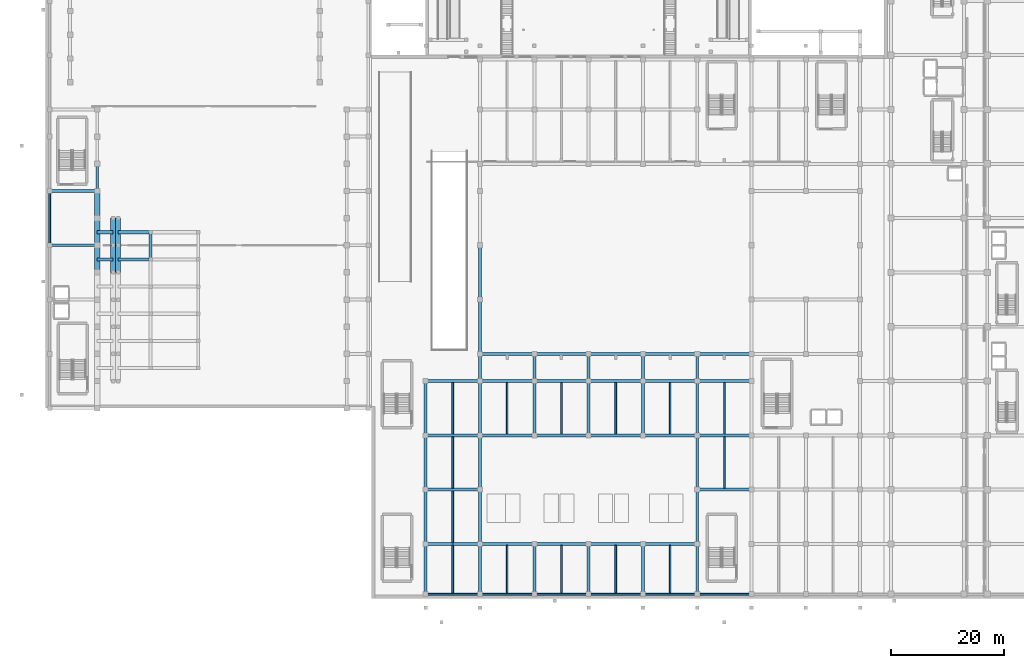
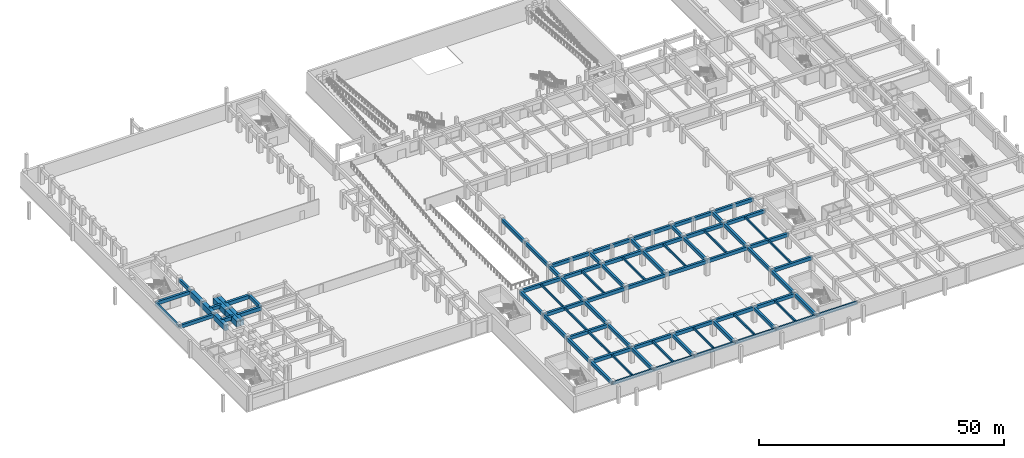
# One storey, part 5 of 39: 85 beams.
"""IFC4 building model written with IfcOpenShell, lengths in metres."""

import ifcopenshell
import ifcopenshell.guid

model = None  # the IFC model being written
_history = None  # IfcOwnerHistory: only IFC2X3 demands one
_inside = {}  # id of a spatial element -> (the spatial element, [elements in it])
_under = {}  # id of a project, library or spatial element -> (it, [spatial elements below it])
_declared = {}  # id of a project -> (the project, [libraries it declares])
_typed = {}  # id of a type object -> (the type object, [elements of that type])
_made_of = {}  # id of a material, layer set ... -> (it, [elements and type objects made of it])


def new_model(schema):
    """Start an empty IFC model of exactly this schema.

    Asked for "IFC4X3", IfcOpenShell would pick the latest addendum, in which some entities
    have other attributes; the version numbers below select the first issue.
    IFC2X3 requires an IfcOwnerHistory on every rooted entity: one is made here for all.
    """
    global model, _history
    if schema == "IFC4X3":
        model = ifcopenshell.file(schema_version=(4, 3, 0, 0))
    else:
        model = ifcopenshell.file(schema=schema)
    _inside.clear()
    _under.clear()
    _declared.clear()
    _typed.clear()
    _made_of.clear()
    _history = None
    if model.schema == "IFC2X3":
        org = make("IfcOrganization", Name="unknown")
        user = make(
            "IfcPersonAndOrganization",
            ThePerson=make("IfcPerson", FamilyName="unknown"),
            TheOrganization=org,
        )
        app = make(
            "IfcApplication",
            ApplicationDeveloper=org,
            Version="unknown",
            ApplicationFullName="unknown",
            ApplicationIdentifier="unknown",
        )
        _history = make(
            "IfcOwnerHistory",
            OwningUser=user,
            OwningApplication=app,
            ChangeAction="ADDED",
            CreationDate=0,
        )
    return model


def make(cls, **values):
    """One entity of the class cls with the attributes given. An attribute that is None is left unset."""
    return model.create_entity(
        cls, **{name: value for name, value in values.items() if value is not None}
    )


def rooted(cls, **values):
    """An entity with a GlobalId (a new one), such as an element, a storey or a relation."""
    return make(cls, GlobalId=ifcopenshell.guid.new(), OwnerHistory=_history, **values)


def si_unit(unit_type, name, prefix=None):
    """IfcSIUnit, for example si_unit("LENGTHUNIT", "METRE", prefix="MILLI")."""
    return make("IfcSIUnit", UnitType=unit_type, Prefix=prefix, Name=name)


def assignment(units):
    """IfcUnitAssignment: the units of a project."""
    return None if units is None else make("IfcUnitAssignment", Units=units)


def point(xyz):
    """IfcCartesianPoint."""
    return None if xyz is None else make("IfcCartesianPoint", Coordinates=xyz)


def direction(xyz):
    """IfcDirection."""
    return None if xyz is None else make("IfcDirection", DirectionRatios=xyz)


def frame(location, z_axis=None, x_axis=None):
    """IfcAxis2Placement3D, a coordinate frame: its origin and axes. An axis left out is left unset."""
    return make(
        "IfcAxis2Placement3D",
        Location=point(location),
        Axis=direction(z_axis),
        RefDirection=direction(x_axis),
    )


def frame_2d(location, x_axis=None):
    """IfcAxis2Placement2D, a coordinate frame in the plane: its origin and x axis."""
    return make(
        "IfcAxis2Placement2D", Location=point(location), RefDirection=direction(x_axis)
    )


def origin():
    """The frame at (0, 0, 0) with its axes left unset."""
    return frame((0.0, 0.0, 0.0))


def origin_2d():
    """The frame at (0, 0) in the plane with its x axis left unset."""
    return frame_2d((0.0, 0.0))


def place(relative_to, where):
    """IfcLocalPlacement: puts the frame where relative to a parent placement (None: the world)."""
    return make(
        "IfcLocalPlacement", PlacementRelTo=relative_to, RelativePlacement=where
    )


def context(
    kind, dimensions, precision=None, world=None, true_north=None, identifier=None
):
    """IfcGeometricRepresentationContext, for example the 3D "Model" context."""
    return make(
        "IfcGeometricRepresentationContext",
        ContextIdentifier=identifier,
        ContextType=kind,
        CoordinateSpaceDimension=dimensions,
        Precision=precision,
        WorldCoordinateSystem=world,
        TrueNorth=true_north,
    )


def subcontext(parent, identifier, kind, view, scale=None):
    """IfcGeometricRepresentationSubContext, for example "Body" below "Model"."""
    return make(
        "IfcGeometricRepresentationSubContext",
        ContextIdentifier=identifier,
        ContextType=kind,
        ParentContext=parent,
        TargetScale=scale,
        TargetView=view,
    )


def project(units=None, contexts=None):
    """IfcProject with its units and contexts."""
    return rooted(
        "IfcProject",
        Name="project",
        RepresentationContexts=contexts,
        UnitsInContext=assignment(units),
    )


def spatial(cls, under=None, at=None, **own):
    """A site, building, storey or space (cls), placed at a placement, below another one or the project."""
    s = rooted(cls, ObjectPlacement=at, **own)
    if under is not None:
        _under.setdefault(under.id(), (under, []))[1].append(s)
    return s


def profile(cls, at=None, kind="AREA", **sizes):
    """A parametric profile (cls). Its sizes go by their IFC names, for example OverallWidth=200.0."""
    return make(cls, ProfileType=kind, Position=at, **sizes)


def rectangle(**sizes):
    """IfcRectangleProfileDef."""
    return profile("IfcRectangleProfileDef", **sizes)


def extrude(swept, where, along, depth):
    """IfcExtrudedAreaSolid: the profile swept, set in the frame where, extruded along a direction by depth."""
    return make(
        "IfcExtrudedAreaSolid",
        SweptArea=swept,
        Position=where,
        ExtrudedDirection=direction(along),
        Depth=depth,
    )


def shape(context_of_items, identifier, shape_type, items):
    """IfcShapeRepresentation: the items that make up one representation, for example the "Body"."""
    return make(
        "IfcShapeRepresentation",
        ContextOfItems=context_of_items,
        RepresentationIdentifier=identifier,
        RepresentationType=shape_type,
        Items=items,
    )


def material(Name=None, Category=None):
    """IfcMaterial."""
    return make("IfcMaterial", Name=Name, Category=Category)


def material_profile(
    of_material, cross_section, Name=None, Category=None, Priority=None
):
    """IfcMaterialProfile: a cross section and its material."""
    return make(
        "IfcMaterialProfile",
        Name=Name,
        Material=of_material,
        Profile=cross_section,
        Priority=Priority,
        Category=Category,
    )


def profile_set(profiles, Name=None, composite=None):
    """IfcMaterialProfileSet."""
    return make(
        "IfcMaterialProfileSet",
        Name=Name,
        MaterialProfiles=profiles,
        CompositeProfile=composite,
    )


def made_of(thing, what):
    """Note that an element or type object is made of a material, layer set ...; save() writes the relation."""
    if what is not None:
        _made_of.setdefault(what.id(), (what, []))[1].append(thing)
    return thing


def type_object(cls, material=None, **own):
    """A type object (cls), such as IfcWallType, which elements share."""
    return made_of(rooted(cls, **own), material)


def element(
    cls,
    number,
    at=None,
    inside=None,
    cuts=None,
    type_object=None,
    material=None,
    context=None,
    identifier="Body",
    shape_type=None,
    held_by="IfcProductDefinitionShape",
    body=None,
    shapes=None,
    **own,
):
    """One element of the class cls, such as IfcWall. Its Tag is "e" and its number.

    at: its placement. inside: the storey or other place that contains it. cuts: it is an
    opening in that element (IfcRelVoidsElement). A single representation is given by context,
    identifier, shape_type and body (its items); several are given by shapes. held_by: the class
    of the entity that holds the representations. save() writes the other relations.
    """
    e = rooted(cls, Tag="e%d" % number, ObjectPlacement=at, **own)
    if body is not None:
        shapes = [shape(context, identifier, shape_type, body)]
    if shapes is not None:
        e.Representation = make(held_by, Representations=shapes)
    if inside is not None:
        _inside.setdefault(inside.id(), (inside, []))[1].append(e)
    if cuts is not None:
        rooted(
            "IfcRelVoidsElement", RelatingBuildingElement=cuts, RelatedOpeningElement=e
        )
    if type_object is not None:
        _typed.setdefault(type_object.id(), (type_object, []))[1].append(e)
    return made_of(e, material)


def aggregate(whole, parts):
    """IfcRelAggregates: a whole, such as a stair, and the parts it consists of."""
    return rooted("IfcRelAggregates", RelatingObject=whole, RelatedObjects=parts)


def save(model, path):
    """Write the relations noted so far, then the file.

    IfcRelAggregates (storeys below a building ...), IfcRelContainedInSpatialStructure (elements
    in a storey), IfcRelDefinesByType, IfcRelAssociatesMaterial and IfcRelDeclares: one each for
    every whole, place, type object, material and project.
    """
    for whole, parts in _under.values():
        aggregate(whole, parts)
    for where, things in _inside.values():
        rooted(
            "IfcRelContainedInSpatialStructure",
            RelatedElements=things,
            RelatingStructure=where,
        )
    for kind, things in _typed.values():
        rooted("IfcRelDefinesByType", RelatedObjects=things, RelatingType=kind)
    for what, things in _made_of.values():
        rooted("IfcRelAssociatesMaterial", RelatedObjects=things, RelatingMaterial=what)
    for by, libraries in _declared.values():
        rooted("IfcRelDeclares", RelatingContext=by, RelatedDefinitions=libraries)
    model.write(path)


model = new_model("IFC4")

# Units and contexts
model_context = context("Model", 3, precision=1e-05, world=origin(), true_north=direction((0.0, 1.0)))
body_context = subcontext(model_context, "Body", "Model", "MODEL_VIEW")
ifc_project = project(units=[si_unit("LENGTHUNIT", "METRE"), si_unit("AREAUNIT", "SQUARE_METRE"), si_unit("VOLUMEUNIT", "CUBIC_METRE"), si_unit("PLANEANGLEUNIT", "RADIAN"), si_unit("MASSUNIT", "GRAM", prefix="KILO")], contexts=[model_context])

# Site, building, storey
site_placement = place(None, origin())
site = spatial("IfcSite", under=ifc_project, at=site_placement, CompositionType="ELEMENT")
building_placement = place(site_placement, origin())
building = spatial("IfcBuilding", under=site, at=building_placement, Name="Nakhvara Creek Congress Hotel", CompositionType="ELEMENT")
storey_placement = place(building_placement, frame((0.0, 0.0, -4.199951171875)))
storey = spatial("IfcBuildingStorey", under=building, at=storey_placement, Name="B1", CompositionType="ELEMENT", Elevation=-4.199951171875)

# Beams
ifc_material_1 = material(Name="Concrete C40/50", Category="concrete")
ifc_material_profile_1 = material_profile(ifc_material_1, rectangle(XDim=0.300048828125, YDim=0.5, at=origin_2d()), Name="RC-BM 300x500", Category="LoadBearing")
ifc_profile_set_1 = profile_set([ifc_material_profile_1], Name="Concrete C40/50")
beam_type_1 = type_object("IfcBeamType", Name="BM-JST-300X500", PredefinedType="JOIST", material=ifc_profile_set_1)
beam_1_placement = place(storey_placement, frame((72.0, 0.925048828125, 3.530029296875), z_axis=(0.0, 1.0, 0.0), x_axis=(-1.0, 0.0, 0.0)))
element("IfcBeam", 1, at=beam_1_placement, inside=storey, type_object=beam_type_1, Name="Secondary Joist BJ1-B1-0691", PredefinedType="JOIST", context=body_context, shape_type="SweptSolid", body=[
    extrude(rectangle(XDim=0.300048828125, YDim=0.5, at=origin_2d()), origin(), (0.0, 0.0, 1.0), 8.4150390625),
])
beam_2_placement = place(storey_placement, frame((72.0, 9.860107421875, 3.530029296875), z_axis=(0.0, 1.0, 0.0), x_axis=(-1.0, 0.0, 0.0)))
element("IfcBeam", 2, at=beam_2_placement, inside=storey, type_object=beam_type_1, Name="Secondary Joist BJ1-B1-0692", PredefinedType="JOIST", context=body_context, shape_type="SweptSolid", body=[
    extrude(rectangle(XDim=0.300048828125, YDim=0.5, at=origin_2d()), origin(), (0.0, 0.0, 1.0), 9.079833984375),
])
beam_3_placement = place(storey_placement, frame((72.0, 19.4599609375, 3.530029296875), z_axis=(0.0, 1.0, 0.0), x_axis=(-1.0, 0.0, 0.0)))
element("IfcBeam", 3, at=beam_3_placement, inside=storey, type_object=beam_type_1, Name="Secondary Joist BJ1-B1-0693", PredefinedType="JOIST", context=body_context, shape_type="SweptSolid", body=[
    extrude(rectangle(XDim=0.300048828125, YDim=0.5, at=origin_2d()), origin(), (0.0, 0.0, 1.0), 9.080078125),
])
beam_4_placement = place(storey_placement, frame((72.0, 29.06005859375, 3.530029296875), z_axis=(0.0, 1.0, 0.0), x_axis=(-1.0, 0.0, 0.0)))
element("IfcBeam", 4, at=beam_4_placement, inside=storey, type_object=beam_type_1, Name="Secondary Joist BJ1-B1-0694", PredefinedType="JOIST", context=body_context, shape_type="SweptSolid", body=[
    extrude(rectangle(XDim=0.300048828125, YDim=0.5, at=origin_2d()), origin(), (0.0, 0.0, 1.0), 9.079833984375),
])
beam_5_placement = place(storey_placement, frame((81.60009765625, 0.925048828125, 3.530029296875), z_axis=(0.0, 1.0, 0.0), x_axis=(-1.0, 0.0, 0.0)))
element("IfcBeam", 5, at=beam_5_placement, inside=storey, type_object=beam_type_1, Name="Secondary Joist BJ1-B1-0695", PredefinedType="JOIST", context=body_context, shape_type="SweptSolid", body=[
    extrude(rectangle(XDim=0.300048828125, YDim=0.5, at=origin_2d()), origin(), (0.0, 0.0, 1.0), 8.4150390625),
])
beam_6_placement = place(storey_placement, frame((81.60009765625, 29.06005859375, 3.530029296875), z_axis=(0.0, 1.0, 0.0), x_axis=(-1.0, 0.0, 0.0)))
element("IfcBeam", 6, at=beam_6_placement, inside=storey, type_object=beam_type_1, Name="Secondary Joist BJ1-B1-0696", PredefinedType="JOIST", context=body_context, shape_type="SweptSolid", body=[
    extrude(rectangle(XDim=0.300048828125, YDim=0.5, at=origin_2d()), origin(), (0.0, 0.0, 1.0), 9.079833984375),
])
beam_7_placement = place(storey_placement, frame((91.199951171875, 0.925048828125, 3.530029296875), z_axis=(0.0, 1.0, 0.0), x_axis=(-1.0, 0.0, 0.0)))
element("IfcBeam", 7, at=beam_7_placement, inside=storey, type_object=beam_type_1, Name="Secondary Joist BJ1-B1-0699", PredefinedType="JOIST", context=body_context, shape_type="SweptSolid", body=[
    extrude(rectangle(XDim=0.300048828125, YDim=0.5, at=origin_2d()), origin(), (0.0, 0.0, 1.0), 8.4150390625),
])
beam_8_placement = place(storey_placement, frame((91.199951171875, 29.06005859375, 3.530029296875), z_axis=(0.0, 1.0, 0.0), x_axis=(-1.0, 0.0, 0.0)))
element("IfcBeam", 8, at=beam_8_placement, inside=storey, type_object=beam_type_1, Name="Secondary Joist BJ1-B1-0700", PredefinedType="JOIST", context=body_context, shape_type="SweptSolid", body=[
    extrude(rectangle(XDim=0.300048828125, YDim=0.5, at=origin_2d()), origin(), (0.0, 0.0, 1.0), 9.079833984375),
])
beam_9_placement = place(storey_placement, frame((100.800048828125, 0.925048828125, 3.530029296875), z_axis=(0.0, 1.0, 0.0), x_axis=(-1.0, 0.0, 0.0)))
element("IfcBeam", 9, at=beam_9_placement, inside=storey, type_object=beam_type_1, Name="Secondary Joist BJ1-B1-0703", PredefinedType="JOIST", context=body_context, shape_type="SweptSolid", body=[
    extrude(rectangle(XDim=0.300048828125, YDim=0.5, at=origin_2d()), origin(), (0.0, 0.0, 1.0), 8.4150390625),
])
beam_10_placement = place(storey_placement, frame((100.800048828125, 29.06005859375, 3.530029296875), z_axis=(0.0, 1.0, 0.0), x_axis=(-1.0, 0.0, 0.0)))
element("IfcBeam", 10, at=beam_10_placement, inside=storey, type_object=beam_type_1, Name="Secondary Joist BJ1-B1-0704", PredefinedType="JOIST", context=body_context, shape_type="SweptSolid", body=[
    extrude(rectangle(XDim=0.300048828125, YDim=0.5, at=origin_2d()), origin(), (0.0, 0.0, 1.0), 9.079833984375),
])
beam_11_placement = place(storey_placement, frame((110.39990234375, 0.925048828125, 3.530029296875), z_axis=(0.0, 1.0, 0.0), x_axis=(-1.0, 0.0, 0.0)))
element("IfcBeam", 11, at=beam_11_placement, inside=storey, type_object=beam_type_1, Name="Secondary Joist BJ1-B1-0707", PredefinedType="JOIST", context=body_context, shape_type="SweptSolid", body=[
    extrude(rectangle(XDim=0.300048828125, YDim=0.5, at=origin_2d()), origin(), (0.0, 0.0, 1.0), 8.4150390625),
])
beam_12_placement = place(storey_placement, frame((110.39990234375, 29.06005859375, 3.530029296875), z_axis=(0.0, 1.0, 0.0), x_axis=(-1.0, 0.0, 0.0)))
element("IfcBeam", 12, at=beam_12_placement, inside=storey, type_object=beam_type_1, Name="Secondary Joist BJ1-B1-0708", PredefinedType="JOIST", context=body_context, shape_type="SweptSolid", body=[
    extrude(rectangle(XDim=0.300048828125, YDim=0.5, at=origin_2d()), origin(), (0.0, 0.0, 1.0), 9.079833984375),
])
beam_13_placement = place(storey_placement, frame((120.0, 19.4599609375, 3.530029296875), z_axis=(0.0, 1.0, 0.0), x_axis=(-1.0, 0.0, 0.0)))
element("IfcBeam", 13, at=beam_13_placement, inside=storey, type_object=beam_type_1, Name="Secondary Joist BJ1-B1-0711", PredefinedType="JOIST", context=body_context, shape_type="SweptSolid", body=[
    extrude(rectangle(XDim=0.300048828125, YDim=0.5, at=origin_2d()), origin(), (0.0, 0.0, 1.0), 9.080078125),
])
beam_14_placement = place(storey_placement, frame((120.0, 29.06005859375, 3.530029296875), z_axis=(0.0, 1.0, 0.0), x_axis=(-1.0, 0.0, 0.0)))
element("IfcBeam", 14, at=beam_14_placement, inside=storey, type_object=beam_type_1, Name="Secondary Joist BJ1-B1-0712", PredefinedType="JOIST", context=body_context, shape_type="SweptSolid", body=[
    extrude(rectangle(XDim=0.300048828125, YDim=0.5, at=origin_2d()), origin(), (0.0, 0.0, 1.0), 9.079833984375),
])
ifc_material_2 = material(Name="Concrete C50/60", Category="concrete")
ifc_material_profile_2 = material_profile(ifc_material_2, rectangle(XDim=0.550048828125, YDim=0.89990234375, at=origin_2d()), Name="RC-RAKER 550x900", Category="LoadBearing")
ifc_profile_set_2 = profile_set([ifc_material_profile_2], Name="Concrete C50/60")
beam_type_2 = type_object("IfcBeamType", Name="BM-RAKER-900", PredefinedType="BEAM", material=ifc_profile_set_2)
beam_15_placement = place(storey_placement, frame((9.14990234375, 59.89990234375, 3.329833984375), z_axis=(1.0, 0.0, 0.0), x_axis=(0.0, 1.0, 0.0)))
element("IfcBeam", 15, at=beam_15_placement, inside=storey, type_object=beam_type_2, Name="Congress Stand RAKER Span A 05", PredefinedType="BEAM", context=body_context, shape_type="SweptSolid", body=[
    extrude(rectangle(XDim=0.550048828125, YDim=0.89990234375, at=origin_2d()), origin(), (0.0, 0.0, 1.0), 2.800048828125),
])
beam_16_placement = place(storey_placement, frame((12.85009765625, 59.89990234375, 3.329833984375), z_axis=(1.0, 0.0, 0.0), x_axis=(0.0, 1.0, 0.0)))
element("IfcBeam", 16, at=beam_16_placement, inside=storey, type_object=beam_type_2, Name="Congress Stand RAKER Span B 05", PredefinedType="BEAM", context=body_context, shape_type="SweptSolid", body=[
    extrude(rectangle(XDim=0.550048828125, YDim=0.89990234375, at=origin_2d()), origin(), (0.0, 0.0, 1.0), 5.75),
])
beam_17_placement = place(storey_placement, frame((9.14990234375, 64.699951171875, 3.329833984375), z_axis=(1.0, 0.0, 0.0), x_axis=(0.0, 1.0, 0.0)))
element("IfcBeam", 17, at=beam_17_placement, inside=storey, type_object=beam_type_2, Name="Congress Stand RAKER Span A 06", PredefinedType="BEAM", context=body_context, shape_type="SweptSolid", body=[
    extrude(rectangle(XDim=0.550048828125, YDim=0.89990234375, at=origin_2d()), origin(), (0.0, 0.0, 1.0), 2.800048828125),
])
beam_18_placement = place(storey_placement, frame((12.85009765625, 64.699951171875, 3.329833984375), z_axis=(1.0, 0.0, 0.0), x_axis=(0.0, 1.0, 0.0)))
element("IfcBeam", 18, at=beam_18_placement, inside=storey, type_object=beam_type_2, Name="Congress Stand RAKER Span B 06", PredefinedType="BEAM", context=body_context, shape_type="SweptSolid", body=[
    extrude(rectangle(XDim=0.550048828125, YDim=0.89990234375, at=origin_2d()), origin(), (0.0, 0.0, 1.0), 5.75),
])
ifc_material_profile_3 = material_profile(ifc_material_2, rectangle(XDim=0.52001953125, YDim=0.840087890625, at=origin_2d()), Name="RC-BM 520x840", Category="LoadBearing")
ifc_profile_set_3 = profile_set([ifc_material_profile_3], Name="Concrete C50/60")
beam_type_3 = type_object("IfcBeamType", Name="BM-RC-520X840", PredefinedType="BEAM", material=ifc_profile_set_3)
for number, where, z_axis, x_axis, name in (
    (19, (0.75, 62.39990234375, 3.35986328125), (1.0, 0.0, 0.0), (0.0, 1.0, 0.0), "Beam B14-B1-0376"),
    (20, (0.75, 72.0, 3.35986328125), (1.0, 0.0, 0.0), (0.0, 1.0, 0.0), "Beam B14-B1-0380"),
):
    element("IfcBeam", number, at=place(storey_placement, frame(where, z_axis=z_axis, x_axis=x_axis)), inside=storey, type_object=beam_type_3, Name=name, PredefinedType="BEAM", context=body_context, shape_type="SweptSolid", body=[
        extrude(rectangle(XDim=0.52001953125, YDim=0.840087890625, at=origin_2d()), origin(), (0.0, 0.0, 1.0), 8.39990234375),
    ])
for number, where, z_axis, x_axis, name in (
    (21, (9.14990234375, 72.0, 3.35986328125), (0.0, 1.0, 0.0), (-1.0, 0.0, 0.0), "Beam B14-B1-0406"),
    (22, (18.60009765625, 59.89990234375, 3.35986328125), (0.0, 1.0, 0.0), (-1.0, 0.0, 0.0), "Beam B14-B1-0432"),
):
    element("IfcBeam", number, at=place(storey_placement, frame(where, z_axis=z_axis, x_axis=x_axis)), inside=storey, type_object=beam_type_3, Name=name, PredefinedType="BEAM", context=body_context, shape_type="SweptSolid", body=[
        extrude(rectangle(XDim=0.52001953125, YDim=0.840087890625, at=origin_2d()), origin(), (0.0, 0.0, 1.0), 4.800048828125),
    ])
beam_19_placement = place(storey_placement, frame((67.199951171875, 0.75, 3.35986328125), z_axis=(0.0, 1.0, 0.0), x_axis=(-1.0, 0.0, 0.0)))
element("IfcBeam", 23, at=beam_19_placement, inside=storey, type_object=beam_type_3, Name="Beam B14-B1-0454", PredefinedType="BEAM", context=body_context, shape_type="SweptSolid", body=[
    extrude(rectangle(XDim=0.52001953125, YDim=0.840087890625, at=origin_2d()), origin(), (0.0, 0.0, 1.0), 8.85009765625),
])
beam_20_placement = place(storey_placement, frame((67.199951171875, 9.60009765625, 3.35986328125), z_axis=(0.0, 1.0, 0.0), x_axis=(-1.0, 0.0, 0.0)))
element("IfcBeam", 24, at=beam_20_placement, inside=storey, type_object=beam_type_3, Name="Beam B14-B1-0456", PredefinedType="BEAM", context=body_context, shape_type="SweptSolid", body=[
    extrude(rectangle(XDim=0.52001953125, YDim=0.840087890625, at=origin_2d()), origin(), (0.0, 0.0, 1.0), 9.599853515625),
])
for number, where, z_axis, x_axis, name in (
    (25, (67.199951171875, 9.60009765625, 3.35986328125), (1.0, 0.0, 0.0), (0.0, 1.0, 0.0), "Beam B14-B1-0457"),
    (26, (67.199951171875, 19.199951171875, 3.35986328125), (0.0, 1.0, 0.0), (-1.0, 0.0, 0.0), "Beam B14-B1-0458"),
    (27, (67.199951171875, 19.199951171875, 3.35986328125), (1.0, 0.0, 0.0), (0.0, 1.0, 0.0), "Beam B14-B1-0459"),
):
    element("IfcBeam", number, at=place(storey_placement, frame(where, z_axis=z_axis, x_axis=x_axis)), inside=storey, type_object=beam_type_3, Name=name, PredefinedType="BEAM", context=body_context, shape_type="SweptSolid", body=[
        extrude(rectangle(XDim=0.52001953125, YDim=0.840087890625, at=origin_2d()), origin(), (0.0, 0.0, 1.0), 9.60009765625),
    ])
beam_21_placement = place(storey_placement, frame((67.199951171875, 28.800048828125, 3.35986328125), z_axis=(0.0, 1.0, 0.0), x_axis=(-1.0, 0.0, 0.0)))
element("IfcBeam", 28, at=beam_21_placement, inside=storey, type_object=beam_type_3, Name="Beam B14-B1-0460", PredefinedType="BEAM", context=body_context, shape_type="SweptSolid", body=[
    extrude(rectangle(XDim=0.52001953125, YDim=0.840087890625, at=origin_2d()), origin(), (0.0, 0.0, 1.0), 9.599853515625),
])
for number, where, z_axis, x_axis, name in (
    (29, (67.199951171875, 28.800048828125, 3.35986328125), (1.0, 0.0, 0.0), (0.0, 1.0, 0.0), "Beam B14-B1-0461"),
    (30, (67.199951171875, 38.39990234375, 3.35986328125), (1.0, 0.0, 0.0), (0.0, 1.0, 0.0), "Beam B14-B1-0462"),
):
    element("IfcBeam", number, at=place(storey_placement, frame(where, z_axis=z_axis, x_axis=x_axis)), inside=storey, type_object=beam_type_3, Name=name, PredefinedType="BEAM", context=body_context, shape_type="SweptSolid", body=[
        extrude(rectangle(XDim=0.52001953125, YDim=0.840087890625, at=origin_2d()), origin(), (0.0, 0.0, 1.0), 9.60009765625),
    ])
beam_22_placement = place(storey_placement, frame((76.800048828125, 0.75, 3.35986328125), z_axis=(0.0, 1.0, 0.0), x_axis=(-1.0, 0.0, 0.0)))
element("IfcBeam", 31, at=beam_22_placement, inside=storey, type_object=beam_type_3, Name="Beam B14-B1-0463", PredefinedType="BEAM", context=body_context, shape_type="SweptSolid", body=[
    extrude(rectangle(XDim=0.52001953125, YDim=0.840087890625, at=origin_2d()), origin(), (0.0, 0.0, 1.0), 8.85009765625),
])
for number, where, z_axis, x_axis, name in (
    (32, (76.800048828125, 9.60009765625, 3.35986328125), (0.0, 1.0, 0.0), (-1.0, 0.0, 0.0), "Beam B14-B1-0465"),
    (33, (76.800048828125, 9.60009765625, 3.35986328125), (1.0, 0.0, 0.0), (0.0, 1.0, 0.0), "Beam B14-B1-0466"),
):
    element("IfcBeam", number, at=place(storey_placement, frame(where, z_axis=z_axis, x_axis=x_axis)), inside=storey, type_object=beam_type_3, Name=name, PredefinedType="BEAM", context=body_context, shape_type="SweptSolid", body=[
        extrude(rectangle(XDim=0.52001953125, YDim=0.840087890625, at=origin_2d()), origin(), (0.0, 0.0, 1.0), 9.599853515625),
    ])
beam_23_placement = place(storey_placement, frame((76.800048828125, 19.199951171875, 3.35986328125), z_axis=(0.0, 1.0, 0.0), x_axis=(-1.0, 0.0, 0.0)))
element("IfcBeam", 34, at=beam_23_placement, inside=storey, type_object=beam_type_3, Name="Beam B14-B1-0467", PredefinedType="BEAM", context=body_context, shape_type="SweptSolid", body=[
    extrude(rectangle(XDim=0.52001953125, YDim=0.840087890625, at=origin_2d()), origin(), (0.0, 0.0, 1.0), 9.60009765625),
])
for number, where, z_axis, x_axis, name in (
    (35, (76.800048828125, 28.800048828125, 3.35986328125), (0.0, 1.0, 0.0), (-1.0, 0.0, 0.0), "Beam B14-B1-0468"),
    (36, (76.800048828125, 28.800048828125, 3.35986328125), (1.0, 0.0, 0.0), (0.0, 1.0, 0.0), "Beam B14-B1-0469"),
):
    element("IfcBeam", number, at=place(storey_placement, frame(where, z_axis=z_axis, x_axis=x_axis)), inside=storey, type_object=beam_type_3, Name=name, PredefinedType="BEAM", context=body_context, shape_type="SweptSolid", body=[
        extrude(rectangle(XDim=0.52001953125, YDim=0.840087890625, at=origin_2d()), origin(), (0.0, 0.0, 1.0), 9.599853515625),
    ])
beam_24_placement = place(storey_placement, frame((76.800048828125, 38.39990234375, 3.35986328125), z_axis=(0.0, 1.0, 0.0), x_axis=(-1.0, 0.0, 0.0)))
element("IfcBeam", 37, at=beam_24_placement, inside=storey, type_object=beam_type_3, Name="Beam B14-B1-0470", PredefinedType="BEAM", context=body_context, shape_type="SweptSolid", body=[
    extrude(rectangle(XDim=0.52001953125, YDim=0.840087890625, at=origin_2d()), origin(), (0.0, 0.0, 1.0), 4.800048828125),
])
beam_25_placement = place(storey_placement, frame((76.800048828125, 38.39990234375, 3.35986328125), z_axis=(1.0, 0.0, 0.0), x_axis=(0.0, 1.0, 0.0)))
element("IfcBeam", 38, at=beam_25_placement, inside=storey, type_object=beam_type_3, Name="Beam B14-B1-0471", PredefinedType="BEAM", context=body_context, shape_type="SweptSolid", body=[
    extrude(rectangle(XDim=0.52001953125, YDim=0.840087890625, at=origin_2d()), origin(), (0.0, 0.0, 1.0), 9.599853515625),
])
beam_26_placement = place(storey_placement, frame((76.800048828125, 43.199951171875, 3.35986328125), z_axis=(0.0, 1.0, 0.0), x_axis=(-1.0, 0.0, 0.0)))
element("IfcBeam", 39, at=beam_26_placement, inside=storey, type_object=beam_type_3, Name="Beam B14-B1-0472", PredefinedType="BEAM", context=body_context, shape_type="SweptSolid", body=[
    extrude(rectangle(XDim=0.52001953125, YDim=0.840087890625, at=origin_2d()), origin(), (0.0, 0.0, 1.0), 9.60009765625),
])
for number, where, z_axis, x_axis, name in (
    (40, (76.800048828125, 43.199951171875, 3.35986328125), (1.0, 0.0, 0.0), (0.0, 1.0, 0.0), "Beam B14-B1-0473"),
    (41, (76.800048828125, 52.800048828125, 3.35986328125), (0.0, 1.0, 0.0), (-1.0, 0.0, 0.0), "Beam B14-B1-0474"),
):
    element("IfcBeam", number, at=place(storey_placement, frame(where, z_axis=z_axis, x_axis=x_axis)), inside=storey, type_object=beam_type_3, Name=name, PredefinedType="BEAM", context=body_context, shape_type="SweptSolid", body=[
        extrude(rectangle(XDim=0.52001953125, YDim=0.840087890625, at=origin_2d()), origin(), (0.0, 0.0, 1.0), 9.599853515625),
    ])
beam_27_placement = place(storey_placement, frame((86.39990234375, 0.75, 3.35986328125), z_axis=(0.0, 1.0, 0.0), x_axis=(-1.0, 0.0, 0.0)))
element("IfcBeam", 42, at=beam_27_placement, inside=storey, type_object=beam_type_3, Name="Beam B14-B1-0482", PredefinedType="BEAM", context=body_context, shape_type="SweptSolid", body=[
    extrude(rectangle(XDim=0.52001953125, YDim=0.840087890625, at=origin_2d()), origin(), (0.0, 0.0, 1.0), 8.85009765625),
])
beam_28_placement = place(storey_placement, frame((86.39990234375, 9.60009765625, 3.35986328125), z_axis=(1.0, 0.0, 0.0), x_axis=(0.0, 1.0, 0.0)))
element("IfcBeam", 43, at=beam_28_placement, inside=storey, type_object=beam_type_3, Name="Beam B14-B1-0484", PredefinedType="BEAM", context=body_context, shape_type="SweptSolid", body=[
    extrude(rectangle(XDim=0.52001953125, YDim=0.840087890625, at=origin_2d()), origin(), (0.0, 0.0, 1.0), 9.60009765625),
])
beam_29_placement = place(storey_placement, frame((86.39990234375, 28.800048828125, 3.35986328125), z_axis=(0.0, 1.0, 0.0), x_axis=(-1.0, 0.0, 0.0)))
element("IfcBeam", 44, at=beam_29_placement, inside=storey, type_object=beam_type_3, Name="Beam B14-B1-0485", PredefinedType="BEAM", context=body_context, shape_type="SweptSolid", body=[
    extrude(rectangle(XDim=0.52001953125, YDim=0.840087890625, at=origin_2d()), origin(), (0.0, 0.0, 1.0), 9.599853515625),
])
beam_30_placement = place(storey_placement, frame((86.39990234375, 28.800048828125, 3.35986328125), z_axis=(1.0, 0.0, 0.0), x_axis=(0.0, 1.0, 0.0)))
element("IfcBeam", 45, at=beam_30_placement, inside=storey, type_object=beam_type_3, Name="Beam B14-B1-0486", PredefinedType="BEAM", context=body_context, shape_type="SweptSolid", body=[
    extrude(rectangle(XDim=0.52001953125, YDim=0.840087890625, at=origin_2d()), origin(), (0.0, 0.0, 1.0), 9.60009765625),
])
beam_31_placement = place(storey_placement, frame((86.39990234375, 38.39990234375, 3.35986328125), z_axis=(0.0, 1.0, 0.0), x_axis=(-1.0, 0.0, 0.0)))
element("IfcBeam", 46, at=beam_31_placement, inside=storey, type_object=beam_type_3, Name="Beam B14-B1-0487", PredefinedType="BEAM", context=body_context, shape_type="SweptSolid", body=[
    extrude(rectangle(XDim=0.52001953125, YDim=0.840087890625, at=origin_2d()), origin(), (0.0, 0.0, 1.0), 4.800048828125),
])
for number, where, z_axis, x_axis, name in (
    (47, (86.39990234375, 38.39990234375, 3.35986328125), (1.0, 0.0, 0.0), (0.0, 1.0, 0.0), "Beam B14-B1-0488"),
    (48, (86.39990234375, 43.199951171875, 3.35986328125), (1.0, 0.0, 0.0), (0.0, 1.0, 0.0), "Beam B14-B1-0489"),
):
    element("IfcBeam", number, at=place(storey_placement, frame(where, z_axis=z_axis, x_axis=x_axis)), inside=storey, type_object=beam_type_3, Name=name, PredefinedType="BEAM", context=body_context, shape_type="SweptSolid", body=[
        extrude(rectangle(XDim=0.52001953125, YDim=0.840087890625, at=origin_2d()), origin(), (0.0, 0.0, 1.0), 9.60009765625),
    ])
beam_32_placement = place(storey_placement, frame((96.0, 0.75, 3.35986328125), z_axis=(0.0, 1.0, 0.0), x_axis=(-1.0, 0.0, 0.0)))
element("IfcBeam", 49, at=beam_32_placement, inside=storey, type_object=beam_type_3, Name="Beam B14-B1-0495", PredefinedType="BEAM", context=body_context, shape_type="SweptSolid", body=[
    extrude(rectangle(XDim=0.52001953125, YDim=0.840087890625, at=origin_2d()), origin(), (0.0, 0.0, 1.0), 8.85009765625),
])
beam_33_placement = place(storey_placement, frame((96.0, 9.60009765625, 3.35986328125), z_axis=(1.0, 0.0, 0.0), x_axis=(0.0, 1.0, 0.0)))
element("IfcBeam", 50, at=beam_33_placement, inside=storey, type_object=beam_type_3, Name="Beam B14-B1-0497", PredefinedType="BEAM", context=body_context, shape_type="SweptSolid", body=[
    extrude(rectangle(XDim=0.52001953125, YDim=0.840087890625, at=origin_2d()), origin(), (0.0, 0.0, 1.0), 9.60009765625),
])
beam_34_placement = place(storey_placement, frame((96.0, 28.800048828125, 3.35986328125), z_axis=(0.0, 1.0, 0.0), x_axis=(-1.0, 0.0, 0.0)))
element("IfcBeam", 51, at=beam_34_placement, inside=storey, type_object=beam_type_3, Name="Beam B14-B1-0498", PredefinedType="BEAM", context=body_context, shape_type="SweptSolid", body=[
    extrude(rectangle(XDim=0.52001953125, YDim=0.840087890625, at=origin_2d()), origin(), (0.0, 0.0, 1.0), 9.599853515625),
])
beam_35_placement = place(storey_placement, frame((96.0, 28.800048828125, 3.35986328125), z_axis=(1.0, 0.0, 0.0), x_axis=(0.0, 1.0, 0.0)))
element("IfcBeam", 52, at=beam_35_placement, inside=storey, type_object=beam_type_3, Name="Beam B14-B1-0499", PredefinedType="BEAM", context=body_context, shape_type="SweptSolid", body=[
    extrude(rectangle(XDim=0.52001953125, YDim=0.840087890625, at=origin_2d()), origin(), (0.0, 0.0, 1.0), 9.60009765625),
])
beam_36_placement = place(storey_placement, frame((96.0, 38.39990234375, 3.35986328125), z_axis=(0.0, 1.0, 0.0), x_axis=(-1.0, 0.0, 0.0)))
element("IfcBeam", 53, at=beam_36_placement, inside=storey, type_object=beam_type_3, Name="Beam B14-B1-0500", PredefinedType="BEAM", context=body_context, shape_type="SweptSolid", body=[
    extrude(rectangle(XDim=0.52001953125, YDim=0.840087890625, at=origin_2d()), origin(), (0.0, 0.0, 1.0), 4.800048828125),
])
for number, where, z_axis, x_axis, name in (
    (54, (96.0, 38.39990234375, 3.35986328125), (1.0, 0.0, 0.0), (0.0, 1.0, 0.0), "Beam B14-B1-0501"),
    (55, (96.0, 43.199951171875, 3.35986328125), (1.0, 0.0, 0.0), (0.0, 1.0, 0.0), "Beam B14-B1-0502"),
):
    element("IfcBeam", number, at=place(storey_placement, frame(where, z_axis=z_axis, x_axis=x_axis)), inside=storey, type_object=beam_type_3, Name=name, PredefinedType="BEAM", context=body_context, shape_type="SweptSolid", body=[
        extrude(rectangle(XDim=0.52001953125, YDim=0.840087890625, at=origin_2d()), origin(), (0.0, 0.0, 1.0), 9.60009765625),
    ])
beam_37_placement = place(storey_placement, frame((105.60009765625, 0.75, 3.35986328125), z_axis=(0.0, 1.0, 0.0), x_axis=(-1.0, 0.0, 0.0)))
element("IfcBeam", 56, at=beam_37_placement, inside=storey, type_object=beam_type_3, Name="Beam B14-B1-0508", PredefinedType="BEAM", context=body_context, shape_type="SweptSolid", body=[
    extrude(rectangle(XDim=0.52001953125, YDim=0.840087890625, at=origin_2d()), origin(), (0.0, 0.0, 1.0), 8.85009765625),
])
for number, where, z_axis, x_axis, name in (
    (57, (105.60009765625, 9.60009765625, 3.35986328125), (1.0, 0.0, 0.0), (0.0, 1.0, 0.0), "Beam B14-B1-0510"),
    (58, (105.60009765625, 28.800048828125, 3.35986328125), (0.0, 1.0, 0.0), (-1.0, 0.0, 0.0), "Beam B14-B1-0511"),
    (59, (105.60009765625, 28.800048828125, 3.35986328125), (1.0, 0.0, 0.0), (0.0, 1.0, 0.0), "Beam B14-B1-0512"),
):
    element("IfcBeam", number, at=place(storey_placement, frame(where, z_axis=z_axis, x_axis=x_axis)), inside=storey, type_object=beam_type_3, Name=name, PredefinedType="BEAM", context=body_context, shape_type="SweptSolid", body=[
        extrude(rectangle(XDim=0.52001953125, YDim=0.840087890625, at=origin_2d()), origin(), (0.0, 0.0, 1.0), 9.599853515625),
    ])
beam_38_placement = place(storey_placement, frame((105.60009765625, 38.39990234375, 3.35986328125), z_axis=(0.0, 1.0, 0.0), x_axis=(-1.0, 0.0, 0.0)))
element("IfcBeam", 60, at=beam_38_placement, inside=storey, type_object=beam_type_3, Name="Beam B14-B1-0513", PredefinedType="BEAM", context=body_context, shape_type="SweptSolid", body=[
    extrude(rectangle(XDim=0.52001953125, YDim=0.840087890625, at=origin_2d()), origin(), (0.0, 0.0, 1.0), 4.800048828125),
])
for number, where, z_axis, x_axis, name in (
    (61, (105.60009765625, 38.39990234375, 3.35986328125), (1.0, 0.0, 0.0), (0.0, 1.0, 0.0), "Beam B14-B1-0514"),
    (62, (105.60009765625, 43.199951171875, 3.35986328125), (1.0, 0.0, 0.0), (0.0, 1.0, 0.0), "Beam B14-B1-0515"),
):
    element("IfcBeam", number, at=place(storey_placement, frame(where, z_axis=z_axis, x_axis=x_axis)), inside=storey, type_object=beam_type_3, Name=name, PredefinedType="BEAM", context=body_context, shape_type="SweptSolid", body=[
        extrude(rectangle(XDim=0.52001953125, YDim=0.840087890625, at=origin_2d()), origin(), (0.0, 0.0, 1.0), 9.599853515625),
    ])
beam_39_placement = place(storey_placement, frame((115.199951171875, 0.75, 3.35986328125), z_axis=(0.0, 1.0, 0.0), x_axis=(-1.0, 0.0, 0.0)))
element("IfcBeam", 63, at=beam_39_placement, inside=storey, type_object=beam_type_3, Name="Beam B14-B1-0521", PredefinedType="BEAM", context=body_context, shape_type="SweptSolid", body=[
    extrude(rectangle(XDim=0.52001953125, YDim=0.840087890625, at=origin_2d()), origin(), (0.0, 0.0, 1.0), 8.85009765625),
])
beam_40_placement = place(storey_placement, frame((115.199951171875, 9.60009765625, 3.35986328125), z_axis=(0.0, 1.0, 0.0), x_axis=(-1.0, 0.0, 0.0)))
element("IfcBeam", 64, at=beam_40_placement, inside=storey, type_object=beam_type_3, Name="Beam B14-B1-0523", PredefinedType="BEAM", context=body_context, shape_type="SweptSolid", body=[
    extrude(rectangle(XDim=0.52001953125, YDim=0.840087890625, at=origin_2d()), origin(), (0.0, 0.0, 1.0), 9.599853515625),
])
for number, where, z_axis, x_axis, name in (
    (65, (115.199951171875, 19.199951171875, 3.35986328125), (0.0, 1.0, 0.0), (-1.0, 0.0, 0.0), "Beam B14-B1-0524"),
    (66, (115.199951171875, 19.199951171875, 3.35986328125), (1.0, 0.0, 0.0), (0.0, 1.0, 0.0), "Beam B14-B1-0525"),
):
    element("IfcBeam", number, at=place(storey_placement, frame(where, z_axis=z_axis, x_axis=x_axis)), inside=storey, type_object=beam_type_3, Name=name, PredefinedType="BEAM", context=body_context, shape_type="SweptSolid", body=[
        extrude(rectangle(XDim=0.52001953125, YDim=0.840087890625, at=origin_2d()), origin(), (0.0, 0.0, 1.0), 9.60009765625),
    ])
beam_41_placement = place(storey_placement, frame((115.199951171875, 28.800048828125, 3.35986328125), z_axis=(0.0, 1.0, 0.0), x_axis=(-1.0, 0.0, 0.0)))
element("IfcBeam", 67, at=beam_41_placement, inside=storey, type_object=beam_type_3, Name="Beam B14-B1-0526", PredefinedType="BEAM", context=body_context, shape_type="SweptSolid", body=[
    extrude(rectangle(XDim=0.52001953125, YDim=0.840087890625, at=origin_2d()), origin(), (0.0, 0.0, 1.0), 9.599853515625),
])
beam_42_placement = place(storey_placement, frame((115.199951171875, 28.800048828125, 3.35986328125), z_axis=(1.0, 0.0, 0.0), x_axis=(0.0, 1.0, 0.0)))
element("IfcBeam", 68, at=beam_42_placement, inside=storey, type_object=beam_type_3, Name="Beam B14-B1-0527", PredefinedType="BEAM", context=body_context, shape_type="SweptSolid", body=[
    extrude(rectangle(XDim=0.52001953125, YDim=0.840087890625, at=origin_2d()), origin(), (0.0, 0.0, 1.0), 9.60009765625),
])
beam_43_placement = place(storey_placement, frame((115.199951171875, 38.39990234375, 3.35986328125), z_axis=(0.0, 1.0, 0.0), x_axis=(-1.0, 0.0, 0.0)))
element("IfcBeam", 69, at=beam_43_placement, inside=storey, type_object=beam_type_3, Name="Beam B14-B1-0528", PredefinedType="BEAM", context=body_context, shape_type="SweptSolid", body=[
    extrude(rectangle(XDim=0.52001953125, YDim=0.840087890625, at=origin_2d()), origin(), (0.0, 0.0, 1.0), 4.800048828125),
])
for number, where, z_axis, x_axis, name in (
    (70, (115.199951171875, 38.39990234375, 3.35986328125), (1.0, 0.0, 0.0), (0.0, 1.0, 0.0), "Beam B14-B1-0529"),
    (71, (115.199951171875, 43.199951171875, 3.35986328125), (1.0, 0.0, 0.0), (0.0, 1.0, 0.0), "Beam B14-B1-0530"),
):
    element("IfcBeam", number, at=place(storey_placement, frame(where, z_axis=z_axis, x_axis=x_axis)), inside=storey, type_object=beam_type_3, Name=name, PredefinedType="BEAM", context=body_context, shape_type="SweptSolid", body=[
        extrude(rectangle(XDim=0.52001953125, YDim=0.840087890625, at=origin_2d()), origin(), (0.0, 0.0, 1.0), 9.60009765625),
    ])
ifc_material_profile_4 = material_profile(ifc_material_1, rectangle(XDim=0.35009765625, YDim=0.75, at=origin_2d()), Name="RC-SPANDREL 350x750", Category="LoadBearing")
ifc_profile_set_4 = profile_set([ifc_material_profile_4], Name="Concrete C40/50")
beam_type_4 = type_object("IfcBeamType", Name="BM-SPN-350X750", PredefinedType="SPANDREL", material=ifc_profile_set_4)
for number, where, z_axis, x_axis, name in (
    (72, (0.75, 62.39990234375, 3.405029296875), (0.0, 1.0, 0.0), (-1.0, 0.0, 0.0), "Beam SP1-B1-0375"),
    (73, (67.199951171875, 0.75, 3.405029296875), (1.0, 0.0, 0.0), (0.0, 1.0, 0.0), "Beam SP1-B1-0455"),
):
    element("IfcBeam", number, at=place(storey_placement, frame(where, z_axis=z_axis, x_axis=x_axis)), inside=storey, type_object=beam_type_4, Name=name, PredefinedType="SPANDREL", context=body_context, shape_type="SweptSolid", body=[
        extrude(rectangle(XDim=0.35009765625, YDim=0.75, at=origin_2d()), origin(), (0.0, 0.0, 1.0), 9.60009765625),
    ])
beam_44_placement = place(storey_placement, frame((76.800048828125, 0.75, 3.405029296875), z_axis=(1.0, 0.0, 0.0), x_axis=(0.0, 1.0, 0.0)))
element("IfcBeam", 74, at=beam_44_placement, inside=storey, type_object=beam_type_4, Name="Beam SP1-B1-0464", PredefinedType="SPANDREL", context=body_context, shape_type="SweptSolid", body=[
    extrude(rectangle(XDim=0.35009765625, YDim=0.75, at=origin_2d()), origin(), (0.0, 0.0, 1.0), 9.599853515625),
])
for number, where, z_axis, x_axis, name in (
    (75, (86.39990234375, 0.75, 3.405029296875), (1.0, 0.0, 0.0), (0.0, 1.0, 0.0), "Beam SP1-B1-0483"),
    (76, (96.0, 0.75, 3.405029296875), (1.0, 0.0, 0.0), (0.0, 1.0, 0.0), "Beam SP1-B1-0496"),
):
    element("IfcBeam", number, at=place(storey_placement, frame(where, z_axis=z_axis, x_axis=x_axis)), inside=storey, type_object=beam_type_4, Name=name, PredefinedType="SPANDREL", context=body_context, shape_type="SweptSolid", body=[
        extrude(rectangle(XDim=0.35009765625, YDim=0.75, at=origin_2d()), origin(), (0.0, 0.0, 1.0), 9.60009765625),
    ])
beam_45_placement = place(storey_placement, frame((105.60009765625, 0.75, 3.405029296875), z_axis=(1.0, 0.0, 0.0), x_axis=(0.0, 1.0, 0.0)))
element("IfcBeam", 77, at=beam_45_placement, inside=storey, type_object=beam_type_4, Name="Beam SP1-B1-0509", PredefinedType="SPANDREL", context=body_context, shape_type="SweptSolid", body=[
    extrude(rectangle(XDim=0.35009765625, YDim=0.75, at=origin_2d()), origin(), (0.0, 0.0, 1.0), 9.599853515625),
])
beam_46_placement = place(storey_placement, frame((115.199951171875, 0.75, 3.405029296875), z_axis=(1.0, 0.0, 0.0), x_axis=(0.0, 1.0, 0.0)))
element("IfcBeam", 78, at=beam_46_placement, inside=storey, type_object=beam_type_4, Name="Beam SP1-B1-0522", PredefinedType="SPANDREL", context=body_context, shape_type="SweptSolid", body=[
    extrude(rectangle(XDim=0.35009765625, YDim=0.75, at=origin_2d()), origin(), (0.0, 0.0, 1.0), 9.60009765625),
])
ifc_material_profile_5 = material_profile(ifc_material_2, rectangle(XDim=0.89990234375, YDim=1.39990234375, at=origin_2d()), Name="RC-TG 900x1400", Category="LoadBearing")
ifc_profile_set_5 = profile_set([ifc_material_profile_5], Name="Concrete C50/60")
beam_type_5 = type_object("IfcBeamType", Name="BM-TG1-1400", PredefinedType="BEAM", material=ifc_profile_set_5)
beam_47_placement = place(storey_placement, frame((9.14990234375, 57.60009765625, 3.079833984375), z_axis=(0.0, 1.0, 0.0), x_axis=(-1.0, 0.0, 0.0)))
element("IfcBeam", 79, at=beam_47_placement, inside=storey, type_object=beam_type_5, Name="Transfer Girder TG1-B1-0400", PredefinedType="BEAM", context=body_context, shape_type="SweptSolid", body=[
    extrude(rectangle(XDim=0.89990234375, YDim=1.39990234375, at=origin_2d()), origin(), (0.0, 0.0, 1.0), 4.7998046875),
])
for number, where, z_axis, x_axis, name in (
    (80, (9.14990234375, 62.39990234375, 3.079833984375), (0.0, 1.0, 0.0), (-1.0, 0.0, 0.0), "Transfer Girder TG1-B1-0402"),
    (81, (9.14990234375, 67.199951171875, 3.079833984375), (0.0, 1.0, 0.0), (-1.0, 0.0, 0.0), "Transfer Girder TG1-B1-0404"),
):
    element("IfcBeam", number, at=place(storey_placement, frame(where, z_axis=z_axis, x_axis=x_axis)), inside=storey, type_object=beam_type_5, Name=name, PredefinedType="BEAM", context=body_context, shape_type="SweptSolid", body=[
        extrude(rectangle(XDim=0.89990234375, YDim=1.39990234375, at=origin_2d()), origin(), (0.0, 0.0, 1.0), 4.800048828125),
    ])
for number, where, z_axis, x_axis, name in (
    (82, (11.949951171875, 57.60009765625, 3.079833984375), (0.0, 1.0, 0.0), (-1.0, 0.0, 0.0), "Transfer Girder TG1-B1-0420"),
    (83, (12.85009765625, 57.60009765625, 3.079833984375), (0.0, 1.0, 0.0), (-1.0, 0.0, 0.0), "Transfer Girder TG1-B1-0421"),
):
    element("IfcBeam", number, at=place(storey_placement, frame(where, z_axis=z_axis, x_axis=x_axis)), inside=storey, type_object=beam_type_5, Name=name, PredefinedType="BEAM", context=body_context, shape_type="SweptSolid", body=[
        extrude(rectangle(XDim=0.89990234375, YDim=1.39990234375, at=origin_2d()), origin(), (0.0, 0.0, 1.0), 4.7998046875),
    ])
for number, where, z_axis, x_axis, name in (
    (84, (11.949951171875, 62.39990234375, 3.079833984375), (0.0, 1.0, 0.0), (-1.0, 0.0, 0.0), "Transfer Girder TG1-B1-0422"),
    (85, (12.85009765625, 62.39990234375, 3.079833984375), (0.0, 1.0, 0.0), (-1.0, 0.0, 0.0), "Transfer Girder TG1-B1-0423"),
):
    element("IfcBeam", number, at=place(storey_placement, frame(where, z_axis=z_axis, x_axis=x_axis)), inside=storey, type_object=beam_type_5, Name=name, PredefinedType="BEAM", context=body_context, shape_type="SweptSolid", body=[
        extrude(rectangle(XDim=0.89990234375, YDim=1.39990234375, at=origin_2d()), origin(), (0.0, 0.0, 1.0), 4.800048828125),
    ])

save(model, "model.ifc")
